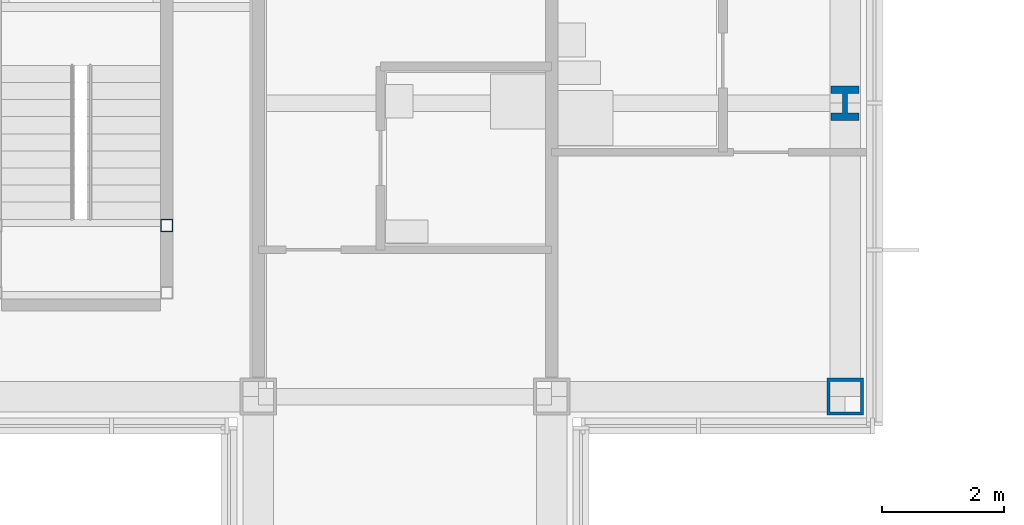
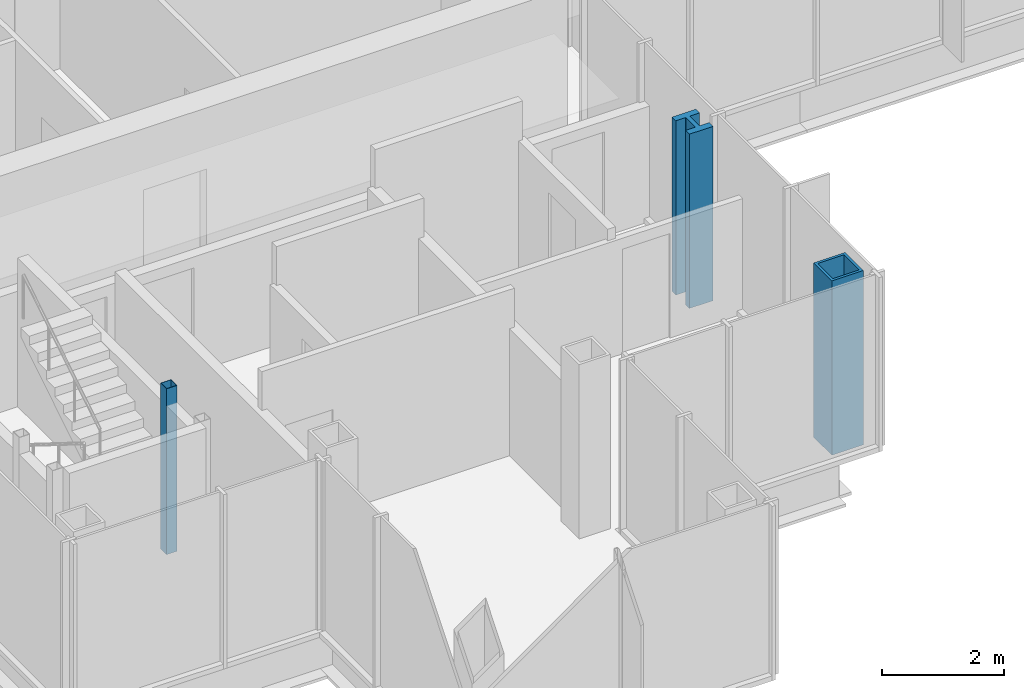
# One storey, part 2 of 15: 3 columns.
"""IFC4 building model written with IfcOpenShell, lengths in metres."""

from ifc_helpers import new_model, si_unit, direction, frame, origin, origin_2d, place, context, subcontext, project, spatial, hollow_rectangle, i_section, extrude, material, material_profile, profile_set, type_object, element, save


model = new_model("IFC4")

# Units and contexts
model_context = context("Model", 3, precision=1e-05, world=origin(), true_north=direction((0.0, 1.0)))
body_context = subcontext(model_context, "Body", "Model", "MODEL_VIEW")
ifc_project = project(units=[si_unit("LENGTHUNIT", "METRE"), si_unit("AREAUNIT", "SQUARE_METRE"), si_unit("VOLUMEUNIT", "CUBIC_METRE"), si_unit("PLANEANGLEUNIT", "RADIAN"), si_unit("MASSUNIT", "GRAM", prefix="KILO")], contexts=[model_context])

# Site, building, storey
site_placement = place(None, origin())
site = spatial("IfcSite", under=ifc_project, at=site_placement, CompositionType="ELEMENT")
building_placement = place(site_placement, origin())
building = spatial("IfcBuilding", under=site, at=building_placement, Name="Kvirike Care Tower", CompositionType="ELEMENT")
storey_placement = place(building_placement, frame((0.0, 0.0, 208.5)))
storey = spatial("IfcBuildingStorey", under=building, at=storey_placement, Name="L57", CompositionType="ELEMENT", Elevation=208.5)

# Columns
ifc_material_1 = material(Name="Steel S460", Category="steel")
ifc_material_profile_1 = material_profile(ifc_material_1, hollow_rectangle(XDim=0.60009765625, YDim=0.60009765625, WallThickness=0.050048828125, at=origin_2d()), Name="BX 600x600x50")
ifc_profile_set_1 = profile_set([ifc_material_profile_1], Name="Steel S460")
column_type_1 = type_object("IfcColumnType", Name="COLUMN BX 600x600x50", PredefinedType="COLUMN", material=ifc_profile_set_1)
column_1_placement = place(storey_placement, frame((28.800048828125, 19.199951171875, 0.0), z_axis=(0.0, 0.0, 1.0), x_axis=(0.0, 1.0, 0.0)))
element("IfcColumn", 1, at=column_1_placement, inside=storey, type_object=column_type_1, Name="Column E9 L57", PredefinedType="COLUMN", context=body_context, shape_type="SweptSolid", body=[
    extrude(hollow_rectangle(XDim=0.60009765625, YDim=0.60009765625, WallThickness=0.050048828125, at=origin_2d()), origin(), (0.0, 0.0, 1.0), 3.5),
])
ifc_material_2 = material(Name="Steel S460", Category="steel")
ifc_material_profile_2 = material_profile(ifc_material_2, i_section(OverallWidth=0.4541015625, OverallDepth=0.569091796875, WebThickness=0.077880859375, FlangeThickness=0.125, FilletRadius=0.014892578125, at=origin_2d()), Name="HD 400x1086")
ifc_profile_set_2 = profile_set([ifc_material_profile_2], Name="Steel S460")
column_type_2 = type_object("IfcColumnType", Name="COLUMN HD 400x1086", PredefinedType="COLUMN", material=ifc_profile_set_2)
column_2_placement = place(storey_placement, frame((28.800048828125, 24.0, 0.0), z_axis=(0.0, 0.0, 1.0), x_axis=(1.0, 0.0, 0.0)))
element("IfcColumn", 2, at=column_2_placement, inside=storey, type_object=column_type_2, Name="Column F9 L57", PredefinedType="COLUMN", context=body_context, shape_type="SweptSolid", body=[
    extrude(i_section(OverallWidth=0.4541015625, OverallDepth=0.569091796875, WebThickness=0.077880859375, FlangeThickness=0.125, FilletRadius=0.014892578125, at=origin_2d()), origin(), (0.0, 0.0, 1.0), 3.5),
])
ifc_material_3 = material(Name="Steel S460", Category="steel")
ifc_material_profile_3 = material_profile(ifc_material_3, hollow_rectangle(XDim=0.199951171875, YDim=0.199951171875, WallThickness=0.008056640625, at=origin_2d()), Name="SHS 200x200x8")
ifc_profile_set_3 = profile_set([ifc_material_profile_3], Name="Steel S460")
column_type_3 = type_object("IfcColumnType", Name="STAIR POST SHS 200x200x8", PredefinedType="COLUMN", material=ifc_profile_set_3)
column_3_placement = place(storey_placement, frame((17.699951171875, 22.0, 0.0), z_axis=(0.0, 0.0, 1.0), x_axis=(1.0, 0.0, 0.0)))
element("IfcColumn", 3, at=column_3_placement, inside=storey, type_object=column_type_3, Name="Stair 5 post 4 L57", PredefinedType="COLUMN", context=body_context, shape_type="SweptSolid", body=[
    extrude(hollow_rectangle(XDim=0.199951171875, YDim=0.199951171875, WallThickness=0.008056640625, at=origin_2d()), origin(), (0.0, 0.0, 1.0), 3.330078125),
])

save(model, "model.ifc")
